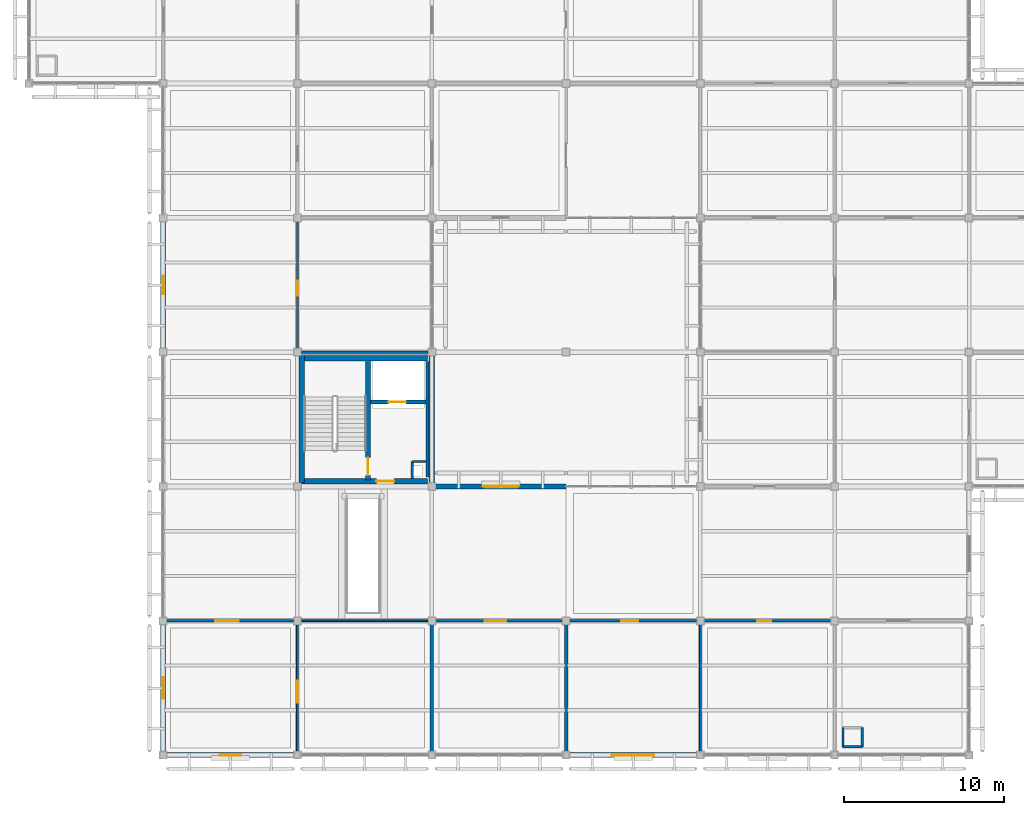
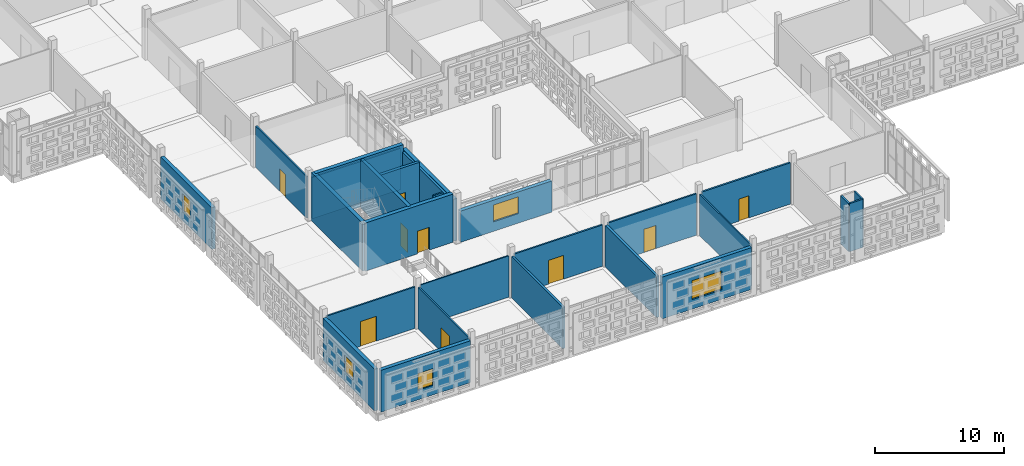
# One storey, part 113 of 203: 28 walls, 9 doors, 5 windows, 14 openings.
"""IFC4 building model written with IfcOpenShell, lengths in metres."""

import ifcopenshell
import ifcopenshell.guid

model = None  # the IFC model being written
_history = None  # IfcOwnerHistory: only IFC2X3 demands one
_inside = {}  # id of a spatial element -> (the spatial element, [elements in it])
_under = {}  # id of a project, library or spatial element -> (it, [spatial elements below it])
_declared = {}  # id of a project -> (the project, [libraries it declares])
_typed = {}  # id of a type object -> (the type object, [elements of that type])
_made_of = {}  # id of a material, layer set ... -> (it, [elements and type objects made of it])


def new_model(schema):
    """Start an empty IFC model of exactly this schema.

    Asked for "IFC4X3", IfcOpenShell would pick the latest addendum, in which some entities
    have other attributes; the version numbers below select the first issue.
    IFC2X3 requires an IfcOwnerHistory on every rooted entity: one is made here for all.
    """
    global model, _history
    if schema == "IFC4X3":
        model = ifcopenshell.file(schema_version=(4, 3, 0, 0))
    else:
        model = ifcopenshell.file(schema=schema)
    _inside.clear()
    _under.clear()
    _declared.clear()
    _typed.clear()
    _made_of.clear()
    _history = None
    if model.schema == "IFC2X3":
        org = make("IfcOrganization", Name="unknown")
        user = make(
            "IfcPersonAndOrganization",
            ThePerson=make("IfcPerson", FamilyName="unknown"),
            TheOrganization=org,
        )
        app = make(
            "IfcApplication",
            ApplicationDeveloper=org,
            Version="unknown",
            ApplicationFullName="unknown",
            ApplicationIdentifier="unknown",
        )
        _history = make(
            "IfcOwnerHistory",
            OwningUser=user,
            OwningApplication=app,
            ChangeAction="ADDED",
            CreationDate=0,
        )
    return model


def make(cls, **values):
    """One entity of the class cls with the attributes given. An attribute that is None is left unset."""
    return model.create_entity(
        cls, **{name: value for name, value in values.items() if value is not None}
    )


def rooted(cls, **values):
    """An entity with a GlobalId (a new one), such as an element, a storey or a relation."""
    return make(cls, GlobalId=ifcopenshell.guid.new(), OwnerHistory=_history, **values)


def si_unit(unit_type, name, prefix=None):
    """IfcSIUnit, for example si_unit("LENGTHUNIT", "METRE", prefix="MILLI")."""
    return make("IfcSIUnit", UnitType=unit_type, Prefix=prefix, Name=name)


def assignment(units):
    """IfcUnitAssignment: the units of a project."""
    return None if units is None else make("IfcUnitAssignment", Units=units)


def point(xyz):
    """IfcCartesianPoint."""
    return None if xyz is None else make("IfcCartesianPoint", Coordinates=xyz)


def direction(xyz):
    """IfcDirection."""
    return None if xyz is None else make("IfcDirection", DirectionRatios=xyz)


def frame(location, z_axis=None, x_axis=None):
    """IfcAxis2Placement3D, a coordinate frame: its origin and axes. An axis left out is left unset."""
    return make(
        "IfcAxis2Placement3D",
        Location=point(location),
        Axis=direction(z_axis),
        RefDirection=direction(x_axis),
    )


def frame_2d(location, x_axis=None):
    """IfcAxis2Placement2D, a coordinate frame in the plane: its origin and x axis."""
    return make(
        "IfcAxis2Placement2D", Location=point(location), RefDirection=direction(x_axis)
    )


def origin():
    """The frame at (0, 0, 0) with its axes left unset."""
    return frame((0.0, 0.0, 0.0))


def place(relative_to, where):
    """IfcLocalPlacement: puts the frame where relative to a parent placement (None: the world)."""
    return make(
        "IfcLocalPlacement", PlacementRelTo=relative_to, RelativePlacement=where
    )


def context(
    kind, dimensions, precision=None, world=None, true_north=None, identifier=None
):
    """IfcGeometricRepresentationContext, for example the 3D "Model" context."""
    return make(
        "IfcGeometricRepresentationContext",
        ContextIdentifier=identifier,
        ContextType=kind,
        CoordinateSpaceDimension=dimensions,
        Precision=precision,
        WorldCoordinateSystem=world,
        TrueNorth=true_north,
    )


def subcontext(parent, identifier, kind, view, scale=None):
    """IfcGeometricRepresentationSubContext, for example "Body" below "Model"."""
    return make(
        "IfcGeometricRepresentationSubContext",
        ContextIdentifier=identifier,
        ContextType=kind,
        ParentContext=parent,
        TargetScale=scale,
        TargetView=view,
    )


def project(units=None, contexts=None):
    """IfcProject with its units and contexts."""
    return rooted(
        "IfcProject",
        Name="project",
        RepresentationContexts=contexts,
        UnitsInContext=assignment(units),
    )


def spatial(cls, under=None, at=None, **own):
    """A site, building, storey or space (cls), placed at a placement, below another one or the project."""
    s = rooted(cls, ObjectPlacement=at, **own)
    if under is not None:
        _under.setdefault(under.id(), (under, []))[1].append(s)
    return s


def profile(cls, at=None, kind="AREA", **sizes):
    """A parametric profile (cls). Its sizes go by their IFC names, for example OverallWidth=200.0."""
    return make(cls, ProfileType=kind, Position=at, **sizes)


def rectangle(**sizes):
    """IfcRectangleProfileDef."""
    return profile("IfcRectangleProfileDef", **sizes)


def extrude(swept, where, along, depth):
    """IfcExtrudedAreaSolid: the profile swept, set in the frame where, extruded along a direction by depth."""
    return make(
        "IfcExtrudedAreaSolid",
        SweptArea=swept,
        Position=where,
        ExtrudedDirection=direction(along),
        Depth=depth,
    )


def shape(context_of_items, identifier, shape_type, items):
    """IfcShapeRepresentation: the items that make up one representation, for example the "Body"."""
    return make(
        "IfcShapeRepresentation",
        ContextOfItems=context_of_items,
        RepresentationIdentifier=identifier,
        RepresentationType=shape_type,
        Items=items,
    )


def material(Name=None, Category=None):
    """IfcMaterial."""
    return make("IfcMaterial", Name=Name, Category=Category)


def layer(
    of_material, thickness, ventilated=None, Name=None, Category=None, Priority=None
):
    """IfcMaterialLayer: one layer of a wall or slab, of a material (None: an air gap)."""
    return make(
        "IfcMaterialLayer",
        Material=of_material,
        LayerThickness=thickness,
        IsVentilated=ventilated,
        Name=Name,
        Category=Category,
        Priority=Priority,
    )


def layer_set(layers, Name=None):
    """IfcMaterialLayerSet."""
    return make("IfcMaterialLayerSet", MaterialLayers=layers, LayerSetName=Name)


def made_of(thing, what):
    """Note that an element or type object is made of a material, layer set ...; save() writes the relation."""
    if what is not None:
        _made_of.setdefault(what.id(), (what, []))[1].append(thing)
    return thing


def type_object(cls, material=None, **own):
    """A type object (cls), such as IfcWallType, which elements share."""
    return made_of(rooted(cls, **own), material)


def element(
    cls,
    number,
    at=None,
    inside=None,
    cuts=None,
    type_object=None,
    material=None,
    context=None,
    identifier="Body",
    shape_type=None,
    held_by="IfcProductDefinitionShape",
    body=None,
    shapes=None,
    **own,
):
    """One element of the class cls, such as IfcWall. Its Tag is "e" and its number.

    at: its placement. inside: the storey or other place that contains it. cuts: it is an
    opening in that element (IfcRelVoidsElement). A single representation is given by context,
    identifier, shape_type and body (its items); several are given by shapes. held_by: the class
    of the entity that holds the representations. save() writes the other relations.
    """
    e = rooted(cls, Tag="e%d" % number, ObjectPlacement=at, **own)
    if body is not None:
        shapes = [shape(context, identifier, shape_type, body)]
    if shapes is not None:
        e.Representation = make(held_by, Representations=shapes)
    if inside is not None:
        _inside.setdefault(inside.id(), (inside, []))[1].append(e)
    if cuts is not None:
        rooted(
            "IfcRelVoidsElement", RelatingBuildingElement=cuts, RelatedOpeningElement=e
        )
    if type_object is not None:
        _typed.setdefault(type_object.id(), (type_object, []))[1].append(e)
    return made_of(e, material)


def fill(opening, filler):
    """IfcRelFillsElement: the door or window that sits in an opening."""
    return rooted(
        "IfcRelFillsElement",
        RelatingOpeningElement=opening,
        RelatedBuildingElement=filler,
    )


def aggregate(whole, parts):
    """IfcRelAggregates: a whole, such as a stair, and the parts it consists of."""
    return rooted("IfcRelAggregates", RelatingObject=whole, RelatedObjects=parts)


def save(model, path):
    """Write the relations noted so far, then the file.

    IfcRelAggregates (storeys below a building ...), IfcRelContainedInSpatialStructure (elements
    in a storey), IfcRelDefinesByType, IfcRelAssociatesMaterial and IfcRelDeclares: one each for
    every whole, place, type object, material and project.
    """
    for whole, parts in _under.values():
        aggregate(whole, parts)
    for where, things in _inside.values():
        rooted(
            "IfcRelContainedInSpatialStructure",
            RelatedElements=things,
            RelatingStructure=where,
        )
    for kind, things in _typed.values():
        rooted("IfcRelDefinesByType", RelatedObjects=things, RelatingType=kind)
    for what, things in _made_of.values():
        rooted("IfcRelAssociatesMaterial", RelatedObjects=things, RelatingMaterial=what)
    for by, libraries in _declared.values():
        rooted("IfcRelDeclares", RelatingContext=by, RelatedDefinitions=libraries)
    model.write(path)


model = new_model("IFC4")

# Units and contexts
model_context = context("Model", 3, precision=1e-05, world=origin(), true_north=direction((0.0, 1.0)))
body_context = subcontext(model_context, "Body", "Model", "MODEL_VIEW")
ifc_project = project(units=[si_unit("LENGTHUNIT", "METRE"), si_unit("AREAUNIT", "SQUARE_METRE"), si_unit("VOLUMEUNIT", "CUBIC_METRE"), si_unit("PLANEANGLEUNIT", "RADIAN"), si_unit("MASSUNIT", "GRAM", prefix="KILO")], contexts=[model_context])

# Site, building, storey
site_placement = place(None, origin())
site = spatial("IfcSite", under=ifc_project, at=site_placement, CompositionType="ELEMENT")
building_placement = place(site_placement, origin())
building = spatial("IfcBuilding", under=site, at=building_placement, Name="Varnapada Polytechnic", CompositionType="ELEMENT")
storey_placement = place(building_placement, frame((0.0, 0.0, 4.800048828125)))
storey = spatial("IfcBuildingStorey", under=building, at=storey_placement, Name="L01", CompositionType="ELEMENT", Elevation=4.800048828125)

# Walls
ifc_material_1 = material(Name="Autoclaved Aerated Concrete Block AAC-600", Category="concrete")
ifc_layer_1 = layer(ifc_material_1, 0.199951171875)
ifc_layer_set_1 = layer_set([ifc_layer_1], Name="Autoclaved Aerated Concrete Block AAC-600")
wall_type_1 = type_object("IfcWallType", Name="Interior Wall IW-01", PredefinedType="PARTITIONING", material=ifc_layer_set_1)
wall_1_placement = place(storey_placement, frame((24.93994140625, 24.60009765625, 0.0), z_axis=(0.0, 0.0, 1.0), x_axis=(0.0, -1.0, 0.0)))
element("IfcWall", 1, at=wall_1_placement, inside=storey, type_object=wall_type_1, Name="L01 C3 firefighting lobby east wall", PredefinedType="PARTITIONING", context=body_context, shape_type="SweptSolid", body=[
    extrude(rectangle(XDim=7.2001953125, YDim=0.199951171875, at=frame_2d((3.60009765625, 0.0))), origin(), (0.0, 0.0, 1.0), 3.919921875),
])
ifc_layer_2 = layer(ifc_material_1, 0.14990234375)
ifc_layer_set_2 = layer_set([ifc_layer_2], Name="Autoclaved Aerated Concrete Block AAC-600")
wall_type_2 = type_object("IfcWallType", Name="Interior Wall IW-02", PredefinedType="PARTITIONING", material=ifc_layer_set_2)
wall_2_placement = place(storey_placement, frame((23.97998046875, 18.360107421875, 0.0), z_axis=(0.0, 0.0, 1.0), x_axis=(0.0, -1.0, 0.0)))
element("IfcWall", 2, at=wall_2_placement, inside=storey, type_object=wall_type_2, Name="L01 C3 riser shaft west wall", PredefinedType="PARTITIONING", context=body_context, shape_type="SweptSolid", body=[
    extrude(rectangle(XDim=1.06005859375, YDim=0.14990234375, at=frame_2d((0.530029296875, 0.0))), origin(), (0.0, 0.0, 1.0), 3.919921875),
])
wall_3_placement = place(storey_placement, frame((23.97998046875, 18.360107421875, 0.0), z_axis=(0.0, 0.0, 1.0), x_axis=(1.0, 0.0, 0.0)))
element("IfcWall", 3, at=wall_3_placement, inside=storey, type_object=wall_type_2, Name="L01 C3 riser shaft north wall", PredefinedType="PARTITIONING", context=body_context, shape_type="SweptSolid", body=[
    extrude(rectangle(XDim=0.860107421875, YDim=0.14990234375, at=frame_2d((0.43017578125, 0.0))), origin(), (0.0, 0.0, 1.0), 3.919921875),
])
wall_4_placement = place(storey_placement, frame((50.919921875, 0.52001953125, 0.0), z_axis=(0.0, 0.0, 1.0), x_axis=(1.0, 0.0, 0.0)))
element("IfcWall", 4, at=wall_4_placement, inside=storey, type_object=wall_type_2, Name="L01 enclosed service riser wall (7,1) S", PredefinedType="PARTITIONING", context=body_context, shape_type="SweptSolid", body=[
    extrude(rectangle(XDim=1.2001953125, YDim=0.14990234375, at=frame_2d((0.60009765625, 0.0))), origin(), (0.0, 0.0, 1.0), 4.56005859375),
])
for number, where, z_axis, x_axis, name in (
    (5, (52.1201171875, 0.52001953125, 0.0), (0.0, 0.0, 1.0), (0.0, 1.0, 0.0), "L01 enclosed service riser wall (7,1) E"),
    (6, (50.919921875, 1.719970703125, 0.0), (0.0, 0.0, 1.0), (0.0, -1.0, 0.0), "L01 enclosed service riser wall (7,1) W"),
):
    element("IfcWall", number, at=place(storey_placement, frame(where, z_axis=z_axis, x_axis=x_axis)), inside=storey, type_object=wall_type_2, Name=name, PredefinedType="PARTITIONING", context=body_context, shape_type="SweptSolid", body=[
        extrude(rectangle(XDim=1.199951171875, YDim=0.14990234375, at=frame_2d((0.60009765625, 0.0))), origin(), (0.0, 0.0, 1.0), 4.56005859375),
    ])

# Wall, opening, door
ifc_material_2 = material(Name="Gypsum Plasterboard Acoustic Partition")
ifc_layer_3 = layer(ifc_material_2, 0.125)
ifc_layer_set_3 = layer_set([ifc_layer_3], Name="Gypsum Plasterboard Acoustic Partition")
wall_type_3 = type_object("IfcWallType", Name="Interior Wall IW-03", PredefinedType="PARTITIONING", material=ifc_layer_set_3)
wall_5_placement = place(storey_placement, frame((16.800048828125, 0.2099609375, 0.0), z_axis=(0.0, 0.0, 1.0), x_axis=(0.0, 1.0, 0.0)))
wall_5 = element("IfcWall", 7, at=wall_5_placement, inside=storey, type_object=wall_type_3, Name="L01 interior partition IW-L01-01-00-V", PredefinedType="PARTITIONING", context=body_context, shape_type="SweptSolid", body=[
    extrude(rectangle(XDim=7.949951171875, YDim=0.125, at=frame_2d((3.97509765625, 0.0))), origin(), (0.0, 0.0, 1.0), 3.919921875),
])
opening_1_placement = place(wall_5_placement, frame((3.074951171875, 0.0, 0.0)))
opening_1 = element("IfcOpeningElement", 8, at=opening_1_placement, cuts=wall_5, Name="Opening D-967", PredefinedType="OPENING", context=body_context, shape_type="SweptSolid", body=[
    extrude(rectangle(XDim=1.35009765625, YDim=2.25, at=frame_2d((0.675048828125, 1.125))), frame((0.0, 0.072509765625, 0.0), z_axis=(0.0, -1.0, 0.0), x_axis=(1.0, 0.0, 0.0)), (0.0, 0.0, 1.0), 0.14501953125),
])
ifc_material_3 = material(Name="Powder-Coated Aluminium 6063-T6", Category="aluminium")
door_type_1 = type_object("IfcDoorType", Name="Interior Door ID-17", OperationType="NOTDEFINED", PredefinedType="DOOR", material=ifc_material_3)
door_1_placement = place(opening_1_placement, origin())
door_1 = element("IfcDoor", 9, at=door_1_placement, inside=storey, type_object=door_type_1, Name="L01 interior room door D-967", OperationType="SINGLE_SWING_RIGHT", OverallHeight=2.25, OverallWidth=1.35009765625, PredefinedType="DOOR", context=body_context, shape_type="SweptSolid", body=[
    extrude(rectangle(XDim=1.35009765625, YDim=2.25, at=frame_2d((0.675048828125, 1.125))), frame((0.0, 0.02490234375, 0.0), z_axis=(0.0, -1.0, 0.0), x_axis=(1.0, 0.0, 0.0)), (0.0, 0.0, 1.0), 0.050048828125),
])
fill(opening_1, door_1)

# Wall
wall_6_placement = place(storey_placement, frame((42.0, 0.219970703125, 0.0), z_axis=(0.0, 0.0, 1.0), x_axis=(0.0, 1.0, 0.0)))
element("IfcWall", 10, at=wall_6_placement, inside=storey, type_object=wall_type_3, Name="L01 interior partition IW-L01-04-00-V", PredefinedType="PARTITIONING", context=body_context, shape_type="SweptSolid", body=[
    extrude(rectangle(XDim=7.93994140625, YDim=0.125, at=frame_2d((3.969970703125, 0.0))), origin(), (0.0, 0.0, 1.0), 3.919921875),
])

# Wall, opening, door
ifc_material_4 = material(Name="Moisture-Resistant Cement Board Partition")
ifc_layer_4 = layer(ifc_material_4, 0.139892578125)
ifc_layer_set_4 = layer_set([ifc_layer_4], Name="Moisture-Resistant Cement Board Partition")
wall_type_4 = type_object("IfcWallType", Name="Interior Wall IW-04", PredefinedType="PARTITIONING", material=ifc_layer_set_4)
wall_7_placement = place(storey_placement, frame((8.639892578125, 8.39990234375, 0.0), z_axis=(0.0, 0.0, 1.0), x_axis=(1.0, 0.0, 0.0)))
wall_7 = element("IfcWall", 11, at=wall_7_placement, inside=storey, type_object=wall_type_4, Name="L01 interior partition IW-L01-01-00-H", PredefinedType="PARTITIONING", context=body_context, shape_type="SweptSolid", body=[
    extrude(rectangle(XDim=7.920166015625, YDim=0.139892578125, at=frame_2d((3.9599609375, 0.0))), origin(), (0.0, 0.0, 1.0), 3.919921875),
])
opening_2_placement = place(wall_7_placement, frame((3.02490234375, 0.0, 0.0)))
opening_2 = element("IfcOpeningElement", 12, at=opening_2_placement, cuts=wall_7, Name="Opening D-968", PredefinedType="OPENING", context=body_context, shape_type="SweptSolid", body=[
    extrude(rectangle(XDim=1.449951171875, YDim=2.35009765625, at=frame_2d((0.72509765625, 1.175048828125))), frame((0.0, 0.079833984375, 0.0), z_axis=(0.0, -1.0, 0.0), x_axis=(1.0, 0.0, 0.0)), (0.0, 0.0, 1.0), 0.159912109375),
])
ifc_material_5 = material(Name="Galvanized Steel Z275", Category="steel")
door_type_2 = type_object("IfcDoorType", Name="Interior Door ID-18", OperationType="NOTDEFINED", PredefinedType="DOOR", material=ifc_material_5)
door_2_placement = place(opening_2_placement, frame((1.449951171875, 0.0, 0.0), z_axis=(0.0, 0.0, 1.0), x_axis=(-1.0, 0.0, 0.0)))
door_2 = element("IfcDoor", 13, at=door_2_placement, inside=storey, type_object=door_type_2, Name="L01 interior room door D-968", OperationType="SINGLE_SWING_LEFT", OverallHeight=2.35009765625, OverallWidth=1.449951171875, PredefinedType="DOOR", context=body_context, shape_type="SweptSolid", body=[
    extrude(rectangle(XDim=1.449951171875, YDim=2.35009765625, at=frame_2d((0.72509765625, 1.175048828125))), frame((0.0, 0.02490234375, 0.0), z_axis=(0.0, -1.0, 0.0), x_axis=(1.0, 0.0, 0.0)), (0.0, 0.0, 1.0), 0.050048828125),
])
fill(opening_2, door_2)

wall_8_placement = place(storey_placement, frame((16.800048828125, 25.43994140625, 0.0), z_axis=(0.0, 0.0, 1.0), x_axis=(0.0, 1.0, 0.0)))
wall_8 = element("IfcWall", 14, at=wall_8_placement, inside=storey, type_object=wall_type_4, Name="L01 interior partition IW-L01-01-03-V", PredefinedType="PARTITIONING", context=body_context, shape_type="SweptSolid", body=[
    extrude(rectangle(XDim=7.91015625, YDim=0.139892578125, at=frame_2d((3.955078125, 0.0))), origin(), (0.0, 0.0, 1.0), 3.919921875),
])
opening_3_placement = place(wall_8_placement, frame((3.27490234375, 0.0, 0.0)))
opening_3 = element("IfcOpeningElement", 15, at=opening_3_placement, cuts=wall_8, Name="Opening D-969", PredefinedType="OPENING", context=body_context, shape_type="SweptSolid", body=[
    extrude(rectangle(XDim=0.949951171875, YDim=2.14990234375, at=frame_2d((0.47509765625, 1.074951171875))), frame((0.0, 0.079833984375, 0.0), z_axis=(0.0, -1.0, 0.0), x_axis=(1.0, 0.0, 0.0)), (0.0, 0.0, 1.0), 0.159912109375),
])
ifc_material_6 = material(Name="Moisture-Resistant HPL Timber", Category="wood")
door_type_3 = type_object("IfcDoorType", Name="Interior Door ID-03", OperationType="NOTDEFINED", PredefinedType="DOOR", material=ifc_material_6)
door_3_placement = place(opening_3_placement, origin())
door_3 = element("IfcDoor", 16, at=door_3_placement, inside=storey, type_object=door_type_3, Name="L01 interior room door D-969", OperationType="SINGLE_SWING_RIGHT", OverallHeight=2.14990234375, OverallWidth=0.949951171875, PredefinedType="DOOR", context=body_context, shape_type="SweptSolid", body=[
    extrude(rectangle(XDim=0.949951171875, YDim=2.14990234375, at=frame_2d((0.47509765625, 1.074951171875))), frame((0.0, 0.02490234375, 0.0), z_axis=(0.0, -1.0, 0.0), x_axis=(1.0, 0.0, 0.0)), (0.0, 0.0, 1.0), 0.050048828125),
])
fill(opening_3, door_3)

# Wall
wall_9_placement = place(storey_placement, frame((17.0400390625, 25.199951171875, 0.0), z_axis=(0.0, 0.0, 1.0), x_axis=(1.0, 0.0, 0.0)))
element("IfcWall", 17, at=wall_9_placement, inside=storey, type_object=wall_type_4, Name="L01 interior partition IW-L01-02-02-H", PredefinedType="PARTITIONING", context=body_context, shape_type="SweptSolid", body=[
    extrude(rectangle(XDim=7.919921875, YDim=0.139892578125, at=frame_2d((3.9599609375, 0.0))), origin(), (0.0, 0.0, 1.0), 3.919921875),
])

# Wall, opening, door
wall_10_placement = place(storey_placement, frame((33.840087890625, 8.39990234375, 0.0), z_axis=(0.0, 0.0, 1.0), x_axis=(1.0, 0.0, 0.0)))
wall_10 = element("IfcWall", 18, at=wall_10_placement, inside=storey, type_object=wall_type_4, Name="L01 interior partition IW-L01-04-00-H", PredefinedType="PARTITIONING", context=body_context, shape_type="SweptSolid", body=[
    extrude(rectangle(XDim=7.919921875, YDim=0.139892578125, at=frame_2d((3.9599609375, 0.0))), origin(), (0.0, 0.0, 1.0), 3.919921875),
])
opening_4_placement = place(wall_10_placement, frame((3.22509765625, 0.0, 0.0)))
opening_4 = element("IfcOpeningElement", 19, at=opening_4_placement, cuts=wall_10, Name="Opening D-993", PredefinedType="OPENING", context=body_context, shape_type="SweptSolid", body=[
    extrude(rectangle(XDim=1.050048828125, YDim=2.199951171875, at=frame_2d((0.52490234375, 1.10009765625))), frame((0.0, 0.079833984375, 0.0), z_axis=(0.0, -1.0, 0.0), x_axis=(1.0, 0.0, 0.0)), (0.0, 0.0, 1.0), 0.159912109375),
])
ifc_material_7 = material(Name="Solid Teak Hardwood Timber", Category="wood")
door_type_4 = type_object("IfcDoorType", Name="Interior Door ID-09", OperationType="NOTDEFINED", PredefinedType="DOOR", material=ifc_material_7)
door_4_placement = place(opening_4_placement, origin())
door_4 = element("IfcDoor", 20, at=door_4_placement, inside=storey, type_object=door_type_4, Name="L01 interior room door D-993", OperationType="SINGLE_SWING_RIGHT", OverallHeight=2.199951171875, OverallWidth=1.050048828125, PredefinedType="DOOR", context=body_context, shape_type="SweptSolid", body=[
    extrude(rectangle(XDim=1.050048828125, YDim=2.199951171875, at=frame_2d((0.52490234375, 1.10009765625))), frame((0.0, 0.02490234375, 0.0), z_axis=(0.0, -1.0, 0.0), x_axis=(1.0, 0.0, 0.0)), (0.0, 0.0, 1.0), 0.050048828125),
])
fill(opening_4, door_4)

ifc_material_8 = material(Name="Cross-laminated timber CLT C24", Category="wood")
ifc_layer_5 = layer(ifc_material_8, 0.159912109375)
ifc_layer_set_5 = layer_set([ifc_layer_5], Name="Cross-laminated timber CLT C24")
wall_type_5 = type_object("IfcWallType", Name="Interior Wall IW-05", PredefinedType="PARTITIONING", material=ifc_layer_set_5)
wall_11_placement = place(storey_placement, frame((42.239990234375, 8.39990234375, 0.0), z_axis=(0.0, 0.0, 1.0), x_axis=(1.0, 0.0, 0.0)))
wall_11 = element("IfcWall", 21, at=wall_11_placement, inside=storey, type_object=wall_type_5, Name="L01 interior partition IW-L01-05-00-H", PredefinedType="PARTITIONING", context=body_context, shape_type="SweptSolid", body=[
    extrude(rectangle(XDim=7.919921875, YDim=0.159912109375, at=frame_2d((3.9599609375, 0.0))), origin(), (0.0, 0.0, 1.0), 3.919921875),
])
opening_5_placement = place(wall_11_placement, frame((3.300048828125, 0.0, 0.0)))
opening_5 = element("IfcOpeningElement", 22, at=opening_5_placement, cuts=wall_11, Name="Opening D-999", PredefinedType="OPENING", context=body_context, shape_type="SweptSolid", body=[
    extrude(rectangle(XDim=0.89990234375, YDim=2.10009765625, at=frame_2d((0.449951171875, 1.050048828125))), frame((0.0, 0.08984375, 0.0), z_axis=(0.0, -1.0, 0.0), x_axis=(1.0, 0.0, 0.0)), (0.0, 0.0, 1.0), 0.179931640625),
])
door_type_5 = type_object("IfcDoorType", Name="Interior Door ID-15", OperationType="NOTDEFINED", PredefinedType="DOOR", material=ifc_material_6)
door_5_placement = place(opening_5_placement, origin())
door_5 = element("IfcDoor", 23, at=door_5_placement, inside=storey, type_object=door_type_5, Name="L01 interior room door D-999", OperationType="SINGLE_SWING_RIGHT", OverallHeight=2.10009765625, OverallWidth=0.89990234375, PredefinedType="DOOR", context=body_context, shape_type="SweptSolid", body=[
    extrude(rectangle(XDim=0.89990234375, YDim=2.10009765625, at=frame_2d((0.449951171875, 1.050048828125))), frame((0.0, 0.02490234375, 0.0), z_axis=(0.0, -1.0, 0.0), x_axis=(1.0, 0.0, 0.0)), (0.0, 0.0, 1.0), 0.050048828125),
])
fill(opening_5, door_5)

# Walls
ifc_material_9 = material(Name="Insulated Masonry Plant Room Wall", Category="masonry")
ifc_layer_6 = layer(ifc_material_9, 0.18994140625)
ifc_layer_set_6 = layer_set([ifc_layer_6], Name="Insulated Masonry Plant Room Wall")
wall_type_6 = type_object("IfcWallType", Name="Interior Wall IW-11", PredefinedType="PARTITIONING", material=ifc_layer_set_6)
wall_12_placement = place(storey_placement, frame((25.199951171875, 0.219970703125, 0.0), z_axis=(0.0, 0.0, 1.0), x_axis=(0.0, 1.0, 0.0)))
element("IfcWall", 24, at=wall_12_placement, inside=storey, type_object=wall_type_6, Name="L01 interior partition IW-L01-02-00-V", PredefinedType="PARTITIONING", context=body_context, shape_type="SweptSolid", body=[
    extrude(rectangle(XDim=7.93994140625, YDim=0.18994140625, at=frame_2d((3.969970703125, 0.0))), origin(), (0.0, 0.0, 1.0), 3.919921875),
])
ifc_material_10 = material(Name="Timber-Stud Studio Critique Partition", Category="wood")
ifc_layer_7 = layer(ifc_material_10, 0.114990234375)
ifc_layer_set_7 = layer_set([ifc_layer_7], Name="Timber-Stud Studio Critique Partition")
wall_type_7 = type_object("IfcWallType", Name="Interior Wall IW-12", PredefinedType="PARTITIONING", material=ifc_layer_set_7)
wall_13_placement = place(storey_placement, frame((17.0400390625, 8.39990234375, 0.0), z_axis=(0.0, 0.0, 1.0), x_axis=(1.0, 0.0, 0.0)))
element("IfcWall", 25, at=wall_13_placement, inside=storey, type_object=wall_type_7, Name="L01 interior partition IW-L01-02-00-H", PredefinedType="PARTITIONING", context=body_context, shape_type="SweptSolid", body=[
    extrude(rectangle(XDim=7.919921875, YDim=0.114990234375, at=frame_2d((3.9599609375, 0.0))), origin(), (0.0, 0.0, 1.0), 3.919921875),
])
ifc_material_11 = material(Name="Heavy Acoustic Auditorium Baffle Wall")
ifc_layer_8 = layer(ifc_material_11, 0.219970703125)
ifc_layer_set_8 = layer_set([ifc_layer_8], Name="Heavy Acoustic Auditorium Baffle Wall")
wall_type_8 = type_object("IfcWallType", Name="Interior Wall IW-13", PredefinedType="PARTITIONING", material=ifc_layer_set_8)
wall_14_placement = place(storey_placement, frame((33.60009765625, 0.2099609375, 0.0), z_axis=(0.0, 0.0, 1.0), x_axis=(0.0, 1.0, 0.0)))
element("IfcWall", 26, at=wall_14_placement, inside=storey, type_object=wall_type_8, Name="L01 interior partition IW-L01-03-00-V", PredefinedType="PARTITIONING", context=body_context, shape_type="SweptSolid", body=[
    extrude(rectangle(XDim=7.949951171875, YDim=0.219970703125, at=frame_2d((3.97509765625, 0.0))), origin(), (0.0, 0.0, 1.0), 3.919921875),
])

# Wall, opening, door
ifc_material_12 = material(Name="Ceramic-Tiled Wet Laboratory Wall")
ifc_layer_9 = layer(ifc_material_12, 0.14501953125)
ifc_layer_set_9 = layer_set([ifc_layer_9], Name="Ceramic-Tiled Wet Laboratory Wall")
wall_type_9 = type_object("IfcWallType", Name="Interior Wall IW-14", PredefinedType="PARTITIONING", material=ifc_layer_set_9)
wall_15_placement = place(storey_placement, frame((25.43994140625, 8.39990234375, 0.0), z_axis=(0.0, 0.0, 1.0), x_axis=(1.0, 0.0, 0.0)))
wall_15 = element("IfcWall", 27, at=wall_15_placement, inside=storey, type_object=wall_type_9, Name="L01 interior partition IW-L01-03-00-H", PredefinedType="PARTITIONING", context=body_context, shape_type="SweptSolid", body=[
    extrude(rectangle(XDim=7.920166015625, YDim=0.14501953125, at=frame_2d((3.9599609375, 0.0))), origin(), (0.0, 0.0, 1.0), 3.919921875),
])
opening_6_placement = place(wall_15_placement, frame((3.074951171875, 0.0, 0.0)))
opening_6 = element("IfcOpeningElement", 28, at=opening_6_placement, cuts=wall_15, Name="Opening D-984", PredefinedType="OPENING", context=body_context, shape_type="SweptSolid", body=[
    extrude(rectangle(XDim=1.35009765625, YDim=2.25, at=frame_2d((0.675048828125, 1.125))), frame((0.0, 0.08251953125, 0.0), z_axis=(0.0, -1.0, 0.0), x_axis=(1.0, 0.0, 0.0)), (0.0, 0.0, 1.0), 0.1650390625),
])
door_6_placement = place(opening_6_placement, origin())
door_6 = element("IfcDoor", 29, at=door_6_placement, inside=storey, type_object=door_type_1, Name="L01 interior room door D-984", OperationType="SINGLE_SWING_LEFT", OverallHeight=2.25, OverallWidth=1.35009765625, PredefinedType="DOOR", context=body_context, shape_type="SweptSolid", body=[
    extrude(rectangle(XDim=1.35009765625, YDim=2.25, at=frame_2d((0.675048828125, 1.125))), frame((0.0, 0.02490234375, 0.0), z_axis=(0.0, -1.0, 0.0), x_axis=(1.0, 0.0, 0.0)), (0.0, 0.0, 1.0), 0.050048828125),
])
fill(opening_6, door_6)

# Walls
ifc_material_13 = material(Name="Concrete C40/50", Category="concrete")
ifc_layer_10 = layer(ifc_material_13, 0.35009765625)
ifc_layer_set_10 = layer_set([ifc_layer_10], Name="Concrete C40/50")
wall_type_10 = type_object("IfcWallType", Name="Interior Wall SW-01", PredefinedType="SHEAR", material=ifc_layer_set_10)
wall_16_placement = place(storey_placement, frame((17.06494140625, 17.050048828125, 0.0), z_axis=(0.0, 0.0, 1.0), x_axis=(0.0, 1.0, 0.0)))
element("IfcWall", 30, at=wall_16_placement, inside=storey, type_object=wall_type_10, Name="L01 C3 stair west shear wall", PredefinedType="SHEAR", context=body_context, shape_type="SweptSolid", body=[
    extrude(rectangle(XDim=7.93994140625, YDim=0.35009765625, at=frame_2d((3.969970703125, 0.0))), origin(), (0.0, 0.0, 1.0), 4.56005859375),
])
wall_17_placement = place(storey_placement, frame((17.06494140625, 24.820068359375, 0.0), z_axis=(0.0, 0.0, 1.0), x_axis=(1.0, 0.0, 0.0)))
element("IfcWall", 31, at=wall_17_placement, inside=storey, type_object=wall_type_10, Name="L01 C3 core north shear wall", PredefinedType="SHEAR", context=body_context, shape_type="SweptSolid", body=[
    extrude(rectangle(XDim=7.875, YDim=0.35009765625, at=frame_2d((3.9375, 0.0))), origin(), (0.0, 0.0, 1.0), 4.56005859375),
])

# Wall, opening, door
wall_18_placement = place(storey_placement, frame((24.93994140625, 17.1201171875, 0.0), z_axis=(0.0, 0.0, 1.0), x_axis=(-1.0, 0.0, 0.0)))
wall_18 = element("IfcWall", 32, at=wall_18_placement, inside=storey, type_object=wall_type_10, Name="L01 C3 core south shear wall", PredefinedType="SHEAR", context=body_context, shape_type="SweptSolid", body=[
    extrude(rectangle(XDim=7.875, YDim=0.35009765625, at=frame_2d((3.9375, 0.0))), origin(), (0.0, 0.0, 1.0), 4.56005859375),
])
opening_7_placement = place(wall_18_placement, frame((2.10009765625, 0.0, 0.0)))
opening_7 = element("IfcOpeningElement", 33, at=opening_7_placement, cuts=wall_18, Name="Opening D-949", PredefinedType="OPENING", context=body_context, shape_type="SweptSolid", body=[
    extrude(rectangle(XDim=1.10009765625, YDim=2.14990234375, at=frame_2d((0.550048828125, 1.074951171875))), frame((0.0, 0.18505859375, 0.0), z_axis=(0.0, -1.0, 0.0), x_axis=(1.0, 0.0, 0.0)), (0.0, 0.0, 1.0), 0.3701171875),
])
door_type_6 = type_object("IfcDoorType", Name="Interior Door ID-01", OperationType="NOTDEFINED", PredefinedType="DOOR", material=ifc_material_5)
door_7_placement = place(opening_7_placement, frame((1.10009765625, 0.0, 0.0), z_axis=(0.0, 0.0, 1.0), x_axis=(-1.0, 0.0, 0.0)))
door_7 = element("IfcDoor", 34, at=door_7_placement, inside=storey, type_object=door_type_6, Name="L01 C3 lobby fire door D-949", OperationType="SINGLE_SWING_LEFT", OverallHeight=2.14990234375, OverallWidth=1.10009765625, PredefinedType="DOOR", context=body_context, shape_type="SweptSolid", body=[
    extrude(rectangle(XDim=1.10009765625, YDim=2.14990234375, at=frame_2d((0.550048828125, 1.074951171875))), frame((0.0, 0.02490234375, 0.0), z_axis=(0.0, -1.0, 0.0), x_axis=(1.0, 0.0, 0.0)), (0.0, 0.0, 1.0), 0.050048828125),
])
fill(opening_7, door_7)

ifc_layer_11 = layer(ifc_material_13, 0.300048828125)
ifc_layer_set_11 = layer_set([ifc_layer_11], Name="Concrete C40/50")
wall_type_11 = type_object("IfcWallType", Name="Interior Wall SW-02", PredefinedType="SHEAR", material=ifc_layer_set_11)
wall_19_placement = place(storey_placement, frame((21.2099609375, 17.219970703125, 0.0), z_axis=(0.0, 0.0, 1.0), x_axis=(0.0, 1.0, 0.0)))
wall_19 = element("IfcWall", 35, at=wall_19_placement, inside=storey, type_object=wall_type_11, Name="L01 C3 stair-lobby dividing shear wall", PredefinedType="SHEAR", context=body_context, shape_type="SweptSolid", body=[
    extrude(rectangle(XDim=7.380126953125, YDim=0.300048828125, at=frame_2d((3.68994140625, 0.0))), origin(), (0.0, 0.0, 1.0), 4.56005859375),
])
opening_8_placement = place(wall_19_placement, frame((0.280029296875, 0.0, 0.0)))
opening_8 = element("IfcOpeningElement", 36, at=opening_8_placement, cuts=wall_19, Name="Opening D-950", PredefinedType="OPENING", context=body_context, shape_type="SweptSolid", body=[
    extrude(rectangle(XDim=1.10009765625, YDim=2.14990234375, at=frame_2d((0.550048828125, 1.074951171875))), frame((0.0, 0.159912109375, 0.0), z_axis=(0.0, -1.0, 0.0), x_axis=(1.0, 0.0, 0.0)), (0.0, 0.0, 1.0), 0.320068359375),
])
door_8_placement = place(opening_8_placement, origin())
door_8 = element("IfcDoor", 37, at=door_8_placement, inside=storey, type_object=door_type_6, Name="L01 C3 exit stair door D-950", OperationType="SINGLE_SWING_LEFT", OverallHeight=2.14990234375, OverallWidth=1.10009765625, PredefinedType="DOOR", context=body_context, shape_type="SweptSolid", body=[
    extrude(rectangle(XDim=1.10009765625, YDim=2.14990234375, at=frame_2d((0.550048828125, 1.074951171875))), frame((0.0, 0.02490234375, 0.0), z_axis=(0.0, -1.0, 0.0), x_axis=(1.0, 0.0, 0.0)), (0.0, 0.0, 1.0), 0.050048828125),
])
fill(opening_8, door_8)

ifc_layer_12 = layer(ifc_material_13, 0.25)
ifc_layer_set_12 = layer_set([ifc_layer_12], Name="Concrete C40/50")
wall_type_12 = type_object("IfcWallType", Name="Interior Wall SW-05", PredefinedType="SHEAR", material=ifc_layer_set_12)
wall_20_placement = place(storey_placement, frame((21.3798828125, 22.080078125, 0.0), z_axis=(0.0, 0.0, 1.0), x_axis=(1.0, 0.0, 0.0)))
wall_20 = element("IfcWall", 38, at=wall_20_placement, inside=storey, type_object=wall_type_12, Name="L01 C3 lift shaft front wall", PredefinedType="SHEAR", context=body_context, shape_type="SweptSolid", body=[
    extrude(rectangle(XDim=3.460205078125, YDim=0.25, at=frame_2d((1.72998046875, 0.0))), origin(), (0.0, 0.0, 1.0), 4.56005859375),
])
opening_9_placement = place(wall_20_placement, frame((1.10009765625, 0.0, 0.0)))
opening_9 = element("IfcOpeningElement", 39, at=opening_9_placement, cuts=wall_20, Name="Opening LD-015", PredefinedType="OPENING", context=body_context, shape_type="SweptSolid", body=[
    extrude(rectangle(XDim=1.10009765625, YDim=2.14990234375, at=frame_2d((0.550048828125, 1.074951171875))), frame((0.0, 0.135009765625, 0.0), z_axis=(0.0, -1.0, 0.0), x_axis=(1.0, 0.0, 0.0)), (0.0, 0.0, 1.0), 0.27001953125),
])
ifc_material_14 = material(Name="Brushed Stainless Steel 316", Category="steel")
door_type_7 = type_object("IfcDoorType", Name="Interior Door LD-01", OperationType="NOTDEFINED", PredefinedType="DOOR", material=ifc_material_14)
door_9_placement = place(opening_9_placement, origin())
door_9 = element("IfcDoor", 40, at=door_9_placement, inside=storey, type_object=door_type_7, Name="L01 LFT-03 sliding lift landing door LD-015", OperationType="DOUBLE_DOOR_SLIDING", OverallHeight=2.14990234375, OverallWidth=1.10009765625, PredefinedType="DOOR", context=body_context, shape_type="SweptSolid", body=[
    extrude(rectangle(XDim=1.10009765625, YDim=2.14990234375, at=frame_2d((0.550048828125, 1.074951171875))), frame((0.0, 0.02490234375, 0.0), z_axis=(0.0, -1.0, 0.0), x_axis=(1.0, 0.0, 0.0)), (0.0, 0.0, 1.0), 0.050048828125),
])
fill(opening_9, door_9)

# Wall, opening, window
ifc_material_15 = material(Name="Precast concrete C40/50", Category="concrete")
ifc_layer_13 = layer(ifc_material_15, 0.320068359375)
ifc_layer_set_13 = layer_set([ifc_layer_13], Name="Precast concrete C40/50")
wall_type_13 = type_object("IfcWallType", Name="Wall EW-04", PredefinedType="SOLIDWALL", material=ifc_layer_set_13)
wall_21_placement = place(storey_placement, frame((16.610107421875, 0.0, 0.0), z_axis=(0.0, 0.0, 1.0), x_axis=(-1.0, 0.0, 0.0)))
wall_21 = element("IfcWall", 41, at=wall_21_placement, inside=storey, type_object=wall_type_13, Name="L01 exterior wall EW-04 (13)", PredefinedType="SOLIDWALL", context=body_context, shape_type="SweptSolid", body=[
    extrude(rectangle(XDim=8.010009765625, YDim=0.320068359375, at=frame_2d((4.0048828125, 0.0))), origin(), (0.0, 0.0, 1.0), 3.9599609375),
])
opening_10_placement = place(wall_21_placement, frame((3.330078125, 0.0, 0.89990234375)))
opening_10 = element("IfcOpeningElement", 42, at=opening_10_placement, cuts=wall_21, Name="Opening WN-20", PredefinedType="OPENING", context=body_context, shape_type="SweptSolid", body=[
    extrude(rectangle(XDim=1.35009765625, YDim=1.60009765625, at=frame_2d((0.675048828125, 0.800048828125))), frame((0.0, 0.169921875, 0.0), z_axis=(0.0, -1.0, 0.0), x_axis=(1.0, 0.0, 0.0)), (0.0, 0.0, 1.0), 0.340087890625),
])
ifc_material_16 = material(Name="Double low-E laminated glass", Category="glass")
window_type_1 = type_object("IfcWindowType", Name="Window WN-20", PartitioningType="SINGLE_PANEL", PredefinedType="WINDOW", material=ifc_material_16)
window_1_placement = place(opening_10_placement, origin())
window_1 = element("IfcWindow", 43, at=window_1_placement, inside=storey, type_object=window_type_1, Name="L01 window WN-20 (69)", OverallHeight=1.60009765625, OverallWidth=1.35009765625, PartitioningType="SINGLE_PANEL", PredefinedType="WINDOW", context=body_context, shape_type="SweptSolid", body=[
    extrude(rectangle(XDim=1.35009765625, YDim=1.60009765625, at=frame_2d((0.675048828125, 0.800048828125))), frame((0.0, 0.030029296875, 0.0), z_axis=(0.0, -1.0, 0.0), x_axis=(1.0, 0.0, 0.0)), (0.0, 0.0, 1.0), 0.06005859375),
])
fill(opening_10, window_1)

wall_22_placement = place(storey_placement, frame((8.39990234375, 0.199951171875, 0.0), z_axis=(0.0, 0.0, 1.0), x_axis=(0.0, 1.0, 0.0)))
wall_22 = element("IfcWall", 44, at=wall_22_placement, inside=storey, type_object=wall_type_13, Name="L01 exterior wall EW-04 (14)", PredefinedType="SOLIDWALL", context=body_context, shape_type="SweptSolid", body=[
    extrude(rectangle(XDim=7.97998046875, YDim=0.320068359375, at=frame_2d((3.989990234375, 0.0))), origin(), (0.0, 0.0, 1.0), 3.9599609375),
])
opening_11_placement = place(wall_22_placement, frame((3.31494140625, 0.0, 0.89990234375)))
opening_11 = element("IfcOpeningElement", 45, at=opening_11_placement, cuts=wall_22, Name="Opening WN-20", PredefinedType="OPENING", context=body_context, shape_type="SweptSolid", body=[
    extrude(rectangle(XDim=1.35009765625, YDim=1.60009765625, at=frame_2d((0.675048828125, 0.800048828125))), frame((0.0, 0.169921875, 0.0), z_axis=(0.0, -1.0, 0.0), x_axis=(1.0, 0.0, 0.0)), (0.0, 0.0, 1.0), 0.340087890625),
])
window_2_placement = place(opening_11_placement, origin())
window_2 = element("IfcWindow", 46, at=window_2_placement, inside=storey, type_object=window_type_1, Name="L01 window WN-20 (70)", OverallHeight=1.60009765625, OverallWidth=1.35009765625, PartitioningType="SINGLE_PANEL", PredefinedType="WINDOW", context=body_context, shape_type="SweptSolid", body=[
    extrude(rectangle(XDim=1.35009765625, YDim=1.60009765625, at=frame_2d((0.675048828125, 0.800048828125))), frame((0.0, 0.030029296875, 0.0), z_axis=(0.0, -1.0, 0.0), x_axis=(1.0, 0.0, 0.0)), (0.0, 0.0, 1.0), 0.06005859375),
])
fill(opening_11, window_2)

wall_23_placement = place(storey_placement, frame((8.39990234375, 25.419921875, 0.0), z_axis=(0.0, 0.0, 1.0), x_axis=(0.0, 1.0, 0.0)))
wall_23 = element("IfcWall", 47, at=wall_23_placement, inside=storey, type_object=wall_type_13, Name="L01 exterior wall EW-04 (17)", PredefinedType="SOLIDWALL", context=body_context, shape_type="SweptSolid", body=[
    extrude(rectangle(XDim=7.9501953125, YDim=0.320068359375, at=frame_2d((3.97509765625, 0.0))), origin(), (0.0, 0.0, 1.0), 3.9599609375),
])
opening_12_placement = place(wall_23_placement, frame((3.39990234375, 0.0, 0.89990234375)))
opening_12 = element("IfcOpeningElement", 48, at=opening_12_placement, cuts=wall_23, Name="Opening WN-29", PredefinedType="OPENING", context=body_context, shape_type="SweptSolid", body=[
    extrude(rectangle(XDim=1.14990234375, YDim=1.64990234375, at=frame_2d((0.574951171875, 0.824951171875))), frame((0.0, 0.169921875, 0.0), z_axis=(0.0, -1.0, 0.0), x_axis=(1.0, 0.0, 0.0)), (0.0, 0.0, 1.0), 0.340087890625),
])
window_type_2 = type_object("IfcWindowType", Name="Window WN-29", PartitioningType="SINGLE_PANEL", PredefinedType="WINDOW", material=ifc_material_16)
window_3_placement = place(opening_12_placement, origin())
window_3 = element("IfcWindow", 49, at=window_3_placement, inside=storey, type_object=window_type_2, Name="L01 window WN-29 (71)", OverallHeight=1.64990234375, OverallWidth=1.14990234375, PartitioningType="SINGLE_PANEL", PredefinedType="WINDOW", context=body_context, shape_type="SweptSolid", body=[
    extrude(rectangle(XDim=1.14990234375, YDim=1.64990234375, at=frame_2d((0.574951171875, 0.824951171875))), frame((0.0, 0.030029296875, 0.0), z_axis=(0.0, -1.0, 0.0), x_axis=(1.0, 0.0, 0.0)), (0.0, 0.0, 1.0), 0.06005859375),
])
fill(opening_12, window_3)

# Wall
wall_24_placement = place(storey_placement, frame((25.199951171875, 24.97998046875, 0.0), z_axis=(0.0, 0.0, 1.0), x_axis=(0.0, -1.0, 0.0)))
element("IfcWall", 50, at=wall_24_placement, inside=storey, type_object=wall_type_13, Name="L01 exterior wall EW-04 (21)", PredefinedType="SOLIDWALL", context=body_context, shape_type="SweptSolid", body=[
    extrude(rectangle(XDim=7.949951171875, YDim=0.320068359375, at=frame_2d((3.97509765625, 0.0))), origin(), (0.0, 0.0, 1.0), 3.9599609375),
])

# Wall, opening, window
wall_25_placement = place(storey_placement, frame((25.429931640625, 16.800048828125, 0.0), z_axis=(0.0, 0.0, 1.0), x_axis=(1.0, 0.0, 0.0)))
wall_25 = element("IfcWall", 51, at=wall_25_placement, inside=storey, type_object=wall_type_13, Name="L01 exterior wall EW-04 (25)", PredefinedType="SOLIDWALL", context=body_context, shape_type="SweptSolid", body=[
    extrude(rectangle(XDim=8.170166015625, YDim=0.320068359375, at=frame_2d((4.0849609375, 0.0))), origin(), (0.0, 0.0, 1.0), 2.949951171875),
])
opening_13_placement = place(wall_25_placement, frame((2.9599609375, 0.0, 0.89990234375)))
opening_13 = element("IfcOpeningElement", 52, at=opening_13_placement, cuts=wall_25, Name="Opening WN-33", PredefinedType="OPENING", context=body_context, shape_type="SweptSolid", body=[
    extrude(rectangle(XDim=2.25, YDim=1.60009765625, at=frame_2d((1.125, 0.800048828125))), frame((0.0, 0.169921875, 0.0), z_axis=(0.0, -1.0, 0.0), x_axis=(1.0, 0.0, 0.0)), (0.0, 0.0, 1.0), 0.340087890625),
])
window_type_3 = type_object("IfcWindowType", Name="Window WN-33", PartitioningType="SINGLE_PANEL", PredefinedType="WINDOW", material=ifc_material_16)
window_4_placement = place(opening_13_placement, origin())
window_4 = element("IfcWindow", 53, at=window_4_placement, inside=storey, type_object=window_type_3, Name="L01 window WN-33 (73)", OverallHeight=1.60009765625, OverallWidth=2.25, PartitioningType="SINGLE_PANEL", PredefinedType="WINDOW", context=body_context, shape_type="SweptSolid", body=[
    extrude(rectangle(XDim=2.25, YDim=1.60009765625, at=frame_2d((1.125, 0.800048828125))), frame((0.0, 0.030029296875, 0.0), z_axis=(0.0, -1.0, 0.0), x_axis=(1.0, 0.0, 0.0)), (0.0, 0.0, 1.0), 0.06005859375),
])
fill(opening_13, window_4)

wall_26_placement = place(storey_placement, frame((41.800048828125, 0.0, 0.0), z_axis=(0.0, 0.0, 1.0), x_axis=(-1.0, 0.0, 0.0)))
wall_26 = element("IfcWall", 54, at=wall_26_placement, inside=storey, type_object=wall_type_13, Name="L01 exterior wall EW-04 (28)", PredefinedType="SOLIDWALL", context=body_context, shape_type="SweptSolid", body=[
    extrude(rectangle(XDim=8.010009765625, YDim=0.320068359375, at=frame_2d((4.0048828125, 0.0))), origin(), (0.0, 0.0, 1.0), 3.9599609375),
])
opening_14_placement = place(wall_26_placement, frame((2.679931640625, 0.0, 0.89990234375)))
opening_14 = element("IfcOpeningElement", 55, at=opening_14_placement, cuts=wall_26, Name="Opening WN-35", PredefinedType="OPENING", context=body_context, shape_type="SweptSolid", body=[
    extrude(rectangle(XDim=2.64990234375, YDim=1.800048828125, at=frame_2d((1.324951171875, 0.89990234375))), frame((0.0, 0.169921875, 0.0), z_axis=(0.0, -1.0, 0.0), x_axis=(1.0, 0.0, 0.0)), (0.0, 0.0, 1.0), 0.340087890625),
])
window_type_4 = type_object("IfcWindowType", Name="Window WN-35", PartitioningType="SINGLE_PANEL", PredefinedType="WINDOW", material=ifc_material_16)
window_5_placement = place(opening_14_placement, origin())
window_5 = element("IfcWindow", 56, at=window_5_placement, inside=storey, type_object=window_type_4, Name="L01 window WN-35 (75)", OverallHeight=1.800048828125, OverallWidth=2.64990234375, PartitioningType="SINGLE_PANEL", PredefinedType="WINDOW", context=body_context, shape_type="SweptSolid", body=[
    extrude(rectangle(XDim=2.64990234375, YDim=1.800048828125, at=frame_2d((1.324951171875, 0.89990234375))), frame((0.0, 0.030029296875, 0.0), z_axis=(0.0, -1.0, 0.0), x_axis=(1.0, 0.0, 0.0)), (0.0, 0.0, 1.0), 0.06005859375),
])
fill(opening_14, window_5)

save(model, "model.ifc")
